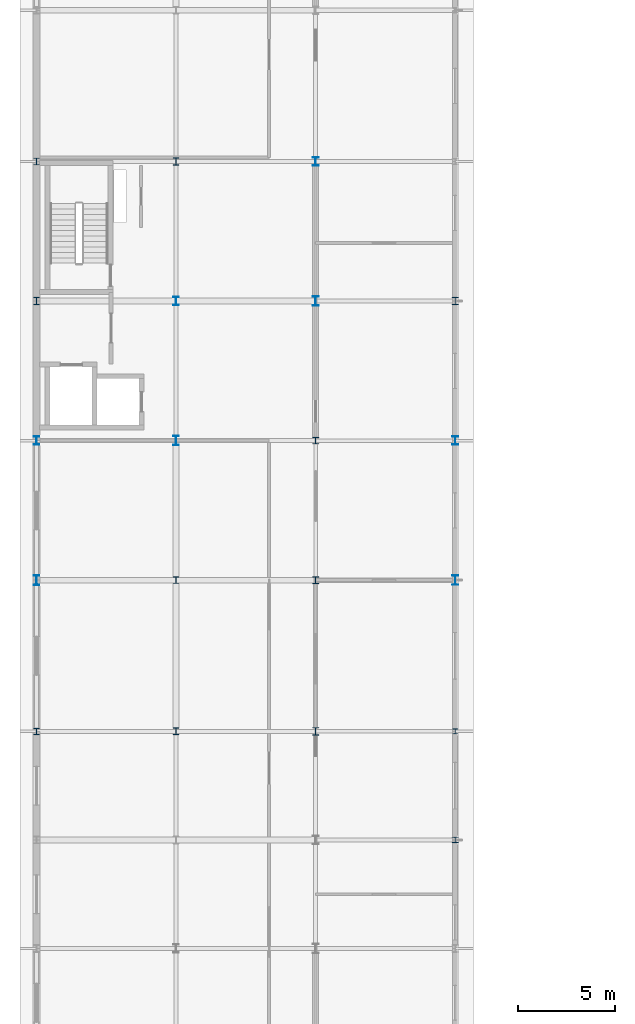
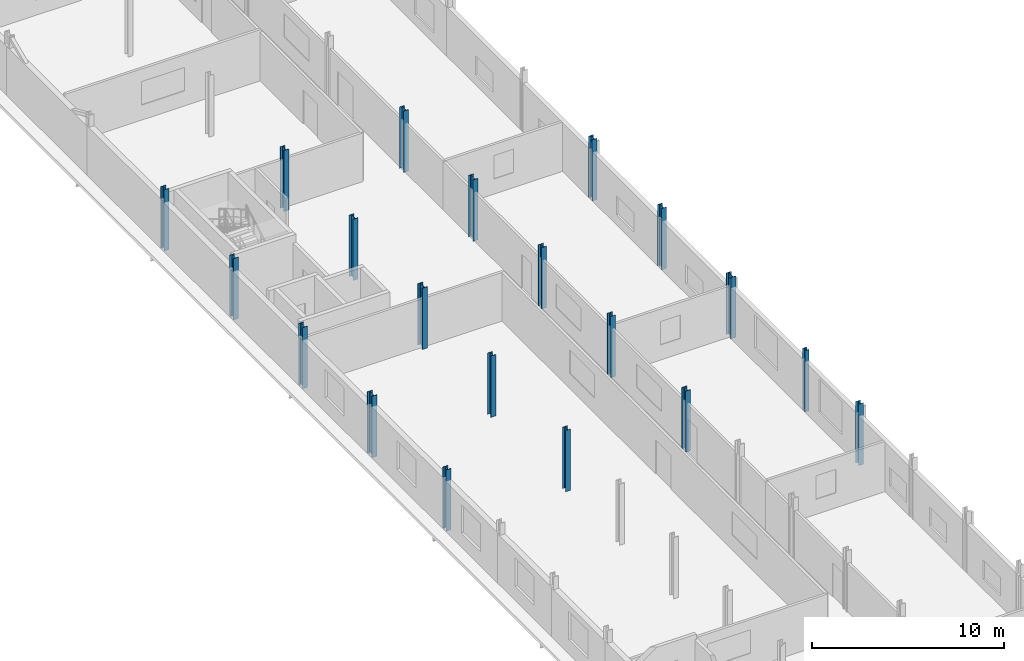
# One storey, part 2 of 30: 20 columns.
"""IFC4 building model written with IfcOpenShell, lengths in metres."""

from ifc_helpers import new_model, si_unit, direction, frame, origin, origin_2d, place, context, subcontext, project, spatial, i_section, extrude, material, material_profile, profile_set, type_object, element, save


model = new_model("IFC4")

# Units and contexts
model_context = context("Model", 3, precision=1e-05, world=origin(), true_north=direction((0.0, 1.0)))
body_context = subcontext(model_context, "Body", "Model", "MODEL_VIEW")
ifc_project = project(units=[si_unit("LENGTHUNIT", "METRE"), si_unit("AREAUNIT", "SQUARE_METRE"), si_unit("VOLUMEUNIT", "CUBIC_METRE"), si_unit("PLANEANGLEUNIT", "RADIAN"), si_unit("MASSUNIT", "GRAM", prefix="KILO")], contexts=[model_context])

# Site, building, storey
site_placement = place(None, origin())
site = spatial("IfcSite", under=ifc_project, at=site_placement, CompositionType="ELEMENT")
building_placement = place(site_placement, origin())
building = spatial("IfcBuilding", under=site, at=building_placement, Name="Vinh Khe Railworks Police Headquarters", CompositionType="ELEMENT")
storey_placement = place(building_placement, frame((0.0, 0.0, 21.0)))
storey = spatial("IfcBuildingStorey", under=building, at=storey_placement, Name="L05", CompositionType="ELEMENT", Elevation=21.0)

# Columns
ifc_material = material(Name="Steel S355JR", Category="steel")
ifc_material_profile_1 = material_profile(ifc_material, i_section(OverallWidth=0.300048828125, OverallDepth=0.389892578125, WebThickness=0.010986328125, FlangeThickness=0.01904296875, FilletRadius=0.027099609375, at=origin_2d()), Name="HEA 400")
ifc_profile_set_1 = profile_set([ifc_material_profile_1], Name="Steel S355JR")
column_type_1 = type_object("IfcColumnType", Name="Steel Column HEA 400", PredefinedType="COLUMN", material=ifc_profile_set_1)
column_1_placement = place(storey_placement, frame((22.199951171875, 81.0, 0.0), z_axis=(0.0, 0.0, 1.0), x_axis=(1.0, 0.0, 0.0)))
element("IfcColumn", 1, at=column_1_placement, inside=storey, type_object=column_type_1, Name="Column COL-L05-SC-15-0604", PredefinedType="COLUMN", context=body_context, shape_type="SweptSolid", body=[
    extrude(i_section(OverallWidth=0.300048828125, OverallDepth=0.389892578125, WebThickness=0.010986328125, FlangeThickness=0.01904296875, FilletRadius=0.027099609375, at=origin_2d()), origin(), (0.0, 0.0, 1.0), 3.89990234375),
])
ifc_material_profile_2 = material_profile(ifc_material, i_section(OverallWidth=0.300048828125, OverallDepth=0.43994140625, WebThickness=0.011474609375, FlangeThickness=0.02099609375, FilletRadius=0.027099609375, at=origin_2d()), Name="HEA 450")
ifc_profile_set_2 = profile_set([ifc_material_profile_2], Name="Steel S355JR")
column_type_2 = type_object("IfcColumnType", Name="Steel Column HEA 450", PredefinedType="COLUMN", material=ifc_profile_set_2)
column_2_placement = place(storey_placement, frame((22.199951171875, 73.800048828125, 0.0), z_axis=(0.0, 0.0, 1.0), x_axis=(1.0, 0.0, 0.0)))
element("IfcColumn", 2, at=column_2_placement, inside=storey, type_object=column_type_2, Name="Column COL-L05-SC-14-0595", PredefinedType="COLUMN", context=body_context, shape_type="SweptSolid", body=[
    extrude(i_section(OverallWidth=0.300048828125, OverallDepth=0.43994140625, WebThickness=0.011474609375, FlangeThickness=0.02099609375, FilletRadius=0.027099609375, at=origin_2d()), origin(), (0.0, 0.0, 1.0), 3.89990234375),
])
ifc_material_profile_3 = material_profile(ifc_material, i_section(OverallWidth=0.300048828125, OverallDepth=0.489990234375, WebThickness=0.011962890625, FlangeThickness=0.02294921875, FilletRadius=0.027099609375, at=origin_2d()), Name="HEA 500")
ifc_profile_set_3 = profile_set([ifc_material_profile_3], Name="Steel S355JR")
column_type_3 = type_object("IfcColumnType", Name="Steel Column HEA 500", PredefinedType="COLUMN", material=ifc_profile_set_3)
column_3_placement = place(storey_placement, frame((22.199951171875, 66.60009765625, 0.0), z_axis=(0.0, 0.0, 1.0), x_axis=(1.0, 0.0, 0.0)))
element("IfcColumn", 3, at=column_3_placement, inside=storey, type_object=column_type_3, Name="Column COL-L05-SC-13-0586", PredefinedType="COLUMN", context=body_context, shape_type="SweptSolid", body=[
    extrude(i_section(OverallWidth=0.300048828125, OverallDepth=0.489990234375, WebThickness=0.011962890625, FlangeThickness=0.02294921875, FilletRadius=0.027099609375, at=origin_2d()), origin(), (0.0, 0.0, 1.0), 3.89990234375),
])
ifc_material_profile_4 = material_profile(ifc_material, i_section(OverallWidth=0.260009765625, OverallDepth=0.260009765625, WebThickness=0.010009765625, FlangeThickness=0.017578125, FilletRadius=0.02392578125, at=origin_2d()), Name="HEB 260")
ifc_profile_set_4 = profile_set([ifc_material_profile_4], Name="Steel S355JR")
column_type_4 = type_object("IfcColumnType", Name="Steel Column HEB 260", PredefinedType="COLUMN", material=ifc_profile_set_4)
column_4_placement = place(storey_placement, frame((22.199951171875, 58.800048828125, 0.0), z_axis=(0.0, 0.0, 1.0), x_axis=(1.0, 0.0, 0.0)))
element("IfcColumn", 4, at=column_4_placement, inside=storey, type_object=column_type_4, Name="Column COL-L05-SC-12-0577", PredefinedType="COLUMN", context=body_context, shape_type="SweptSolid", body=[
    extrude(i_section(OverallWidth=0.260009765625, OverallDepth=0.260009765625, WebThickness=0.010009765625, FlangeThickness=0.017578125, FilletRadius=0.02392578125, at=origin_2d()), origin(), (0.0, 0.0, 1.0), 3.89990234375),
])
ifc_material_profile_5 = material_profile(ifc_material, i_section(OverallWidth=0.300048828125, OverallDepth=0.300048828125, WebThickness=0.010986328125, FlangeThickness=0.01904296875, FilletRadius=0.027099609375, at=origin_2d()), Name="HEB 300")
ifc_profile_set_5 = profile_set([ifc_material_profile_5], Name="Steel S355JR")
column_type_5 = type_object("IfcColumnType", Name="Steel Column HEB 300", PredefinedType="COLUMN", material=ifc_profile_set_5)
column_5_placement = place(storey_placement, frame((22.199951171875, 53.199951171875, 0.0), z_axis=(0.0, 0.0, 1.0), x_axis=(1.0, 0.0, 0.0)))
element("IfcColumn", 5, at=column_5_placement, inside=storey, type_object=column_type_5, Name="Column COL-L05-SC-11-0568", PredefinedType="COLUMN", context=body_context, shape_type="SweptSolid", body=[
    extrude(i_section(OverallWidth=0.300048828125, OverallDepth=0.300048828125, WebThickness=0.010986328125, FlangeThickness=0.01904296875, FilletRadius=0.027099609375, at=origin_2d()), origin(), (0.0, 0.0, 1.0), 3.89990234375),
])
ifc_material_profile_6 = material_profile(ifc_material, i_section(OverallWidth=0.300048828125, OverallDepth=0.340087890625, WebThickness=0.011962890625, FlangeThickness=0.021484375, FilletRadius=0.027099609375, at=origin_2d()), Name="HEB 340")
ifc_profile_set_6 = profile_set([ifc_material_profile_6], Name="Steel S355JR")
column_type_6 = type_object("IfcColumnType", Name="Steel Column HEB 340", PredefinedType="COLUMN", material=ifc_profile_set_6)
for number, where, z_axis, x_axis, name in (
    (6, (0.60009765625, 58.800048828125, 0.0), (0.0, 0.0, 1.0), (1.0, 0.0, 0.0), "Column COL-L05-SC-10-0083"),
    (7, (7.800048828125, 66.60009765625, 0.0), (0.0, 0.0, 1.0), (1.0, 0.0, 0.0), "Column COL-L05-SC-10-0260"),
    (8, (15.0, 73.800048828125, 0.0), (0.0, 0.0, 1.0), (1.0, 0.0, 0.0), "Column COL-L05-SC-10-0437"),
):
    element("IfcColumn", number, at=place(storey_placement, frame(where, z_axis=z_axis, x_axis=x_axis)), inside=storey, type_object=column_type_6, Name=name, PredefinedType="COLUMN", context=body_context, shape_type="SweptSolid", body=[
        extrude(i_section(OverallWidth=0.300048828125, OverallDepth=0.340087890625, WebThickness=0.011962890625, FlangeThickness=0.021484375, FilletRadius=0.027099609375, at=origin_2d()), origin(), (0.0, 0.0, 1.0), 3.89990234375),
    ])
ifc_material_profile_7 = material_profile(ifc_material, i_section(OverallWidth=0.300048828125, OverallDepth=0.360107421875, WebThickness=0.012451171875, FlangeThickness=0.0224609375, FilletRadius=0.027099609375, at=origin_2d()), Name="HEB 360")
ifc_profile_set_7 = profile_set([ifc_material_profile_7], Name="Steel S355JR")
column_type_7 = type_object("IfcColumnType", Name="Steel Column HEB 360", PredefinedType="COLUMN", material=ifc_profile_set_7)
for number, where, z_axis, x_axis, name in (
    (9, (0.60009765625, 88.199951171875, 0.0), (0.0, 0.0, 1.0), (1.0, 0.0, 0.0), "Column COL-L05-SC-09-0123"),
    (10, (7.800048828125, 58.800048828125, 0.0), (0.0, 0.0, 1.0), (1.0, 0.0, 0.0), "Column COL-L05-SC-09-0250"),
    (11, (15.0, 66.60009765625, 0.0), (0.0, 0.0, 1.0), (1.0, 0.0, 0.0), "Column COL-L05-SC-09-0427"),
):
    element("IfcColumn", number, at=place(storey_placement, frame(where, z_axis=z_axis, x_axis=x_axis)), inside=storey, type_object=column_type_7, Name=name, PredefinedType="COLUMN", context=body_context, shape_type="SweptSolid", body=[
        extrude(i_section(OverallWidth=0.300048828125, OverallDepth=0.360107421875, WebThickness=0.012451171875, FlangeThickness=0.0224609375, FilletRadius=0.027099609375, at=origin_2d()), origin(), (0.0, 0.0, 1.0), 3.89990234375),
    ])
ifc_material_profile_8 = material_profile(ifc_material, i_section(OverallWidth=0.300048828125, OverallDepth=0.39990234375, WebThickness=0.013427734375, FlangeThickness=0.02392578125, FilletRadius=0.027099609375, at=origin_2d()), Name="HEB 400")
ifc_profile_set_8 = profile_set([ifc_material_profile_8], Name="Steel S355JR")
column_type_8 = type_object("IfcColumnType", Name="Steel Column HEB 400", PredefinedType="COLUMN", material=ifc_profile_set_8)
for number, where, z_axis, x_axis, name in (
    (12, (0.60009765625, 81.0, 0.0), (0.0, 0.0, 1.0), (1.0, 0.0, 0.0), "Column COL-L05-SC-08-0113"),
    (13, (7.800048828125, 88.199951171875, 0.0), (0.0, 0.0, 1.0), (1.0, 0.0, 0.0), "Column COL-L05-SC-08-0290"),
    (14, (15.0, 58.800048828125, 0.0), (0.0, 0.0, 1.0), (1.0, 0.0, 0.0), "Column COL-L05-SC-08-0417"),
):
    element("IfcColumn", number, at=place(storey_placement, frame(where, z_axis=z_axis, x_axis=x_axis)), inside=storey, type_object=column_type_8, Name=name, PredefinedType="COLUMN", context=body_context, shape_type="SweptSolid", body=[
        extrude(i_section(OverallWidth=0.300048828125, OverallDepth=0.39990234375, WebThickness=0.013427734375, FlangeThickness=0.02392578125, FilletRadius=0.027099609375, at=origin_2d()), origin(), (0.0, 0.0, 1.0), 3.89990234375),
    ])
ifc_material_profile_9 = material_profile(ifc_material, i_section(OverallWidth=0.300048828125, OverallDepth=0.449951171875, WebThickness=0.013916015625, FlangeThickness=0.02587890625, FilletRadius=0.027099609375, at=origin_2d()), Name="HEB 450")
ifc_profile_set_9 = profile_set([ifc_material_profile_9], Name="Steel S355JR")
column_type_9 = type_object("IfcColumnType", Name="Steel Column HEB 450", PredefinedType="COLUMN", material=ifc_profile_set_9)
for number, where, z_axis, x_axis, name in (
    (15, (0.60009765625, 73.800048828125, 0.0), (0.0, 0.0, 1.0), (1.0, 0.0, 0.0), "Column COL-L05-SC-07-0103"),
    (16, (7.800048828125, 81.0, 0.0), (0.0, 0.0, 1.0), (1.0, 0.0, 0.0), "Column COL-L05-SC-07-0280"),
    (17, (15.0, 88.199951171875, 0.0), (0.0, 0.0, 1.0), (1.0, 0.0, 0.0), "Column COL-L05-SC-07-0457"),
):
    element("IfcColumn", number, at=place(storey_placement, frame(where, z_axis=z_axis, x_axis=x_axis)), inside=storey, type_object=column_type_9, Name=name, PredefinedType="COLUMN", context=body_context, shape_type="SweptSolid", body=[
        extrude(i_section(OverallWidth=0.300048828125, OverallDepth=0.449951171875, WebThickness=0.013916015625, FlangeThickness=0.02587890625, FilletRadius=0.027099609375, at=origin_2d()), origin(), (0.0, 0.0, 1.0), 3.89990234375),
    ])
ifc_material_profile_10 = material_profile(ifc_material, i_section(OverallWidth=0.300048828125, OverallDepth=0.5, WebThickness=0.014404296875, FlangeThickness=0.028076171875, FilletRadius=0.027099609375, at=origin_2d()), Name="HEB 500")
ifc_profile_set_10 = profile_set([ifc_material_profile_10], Name="Steel S355JR")
column_type_10 = type_object("IfcColumnType", Name="Steel Column HEB 500", PredefinedType="COLUMN", material=ifc_profile_set_10)
for number, where, z_axis, x_axis, name in (
    (18, (0.60009765625, 66.60009765625, 0.0), (0.0, 0.0, 1.0), (1.0, 0.0, 0.0), "Column COL-L05-SC-06-0093"),
    (19, (7.800048828125, 73.800048828125, 0.0), (0.0, 0.0, 1.0), (1.0, 0.0, 0.0), "Column COL-L05-SC-06-0270"),
    (20, (15.0, 81.0, 0.0), (0.0, 0.0, 1.0), (1.0, 0.0, 0.0), "Column COL-L05-SC-06-0447"),
):
    element("IfcColumn", number, at=place(storey_placement, frame(where, z_axis=z_axis, x_axis=x_axis)), inside=storey, type_object=column_type_10, Name=name, PredefinedType="COLUMN", context=body_context, shape_type="SweptSolid", body=[
        extrude(i_section(OverallWidth=0.300048828125, OverallDepth=0.5, WebThickness=0.014404296875, FlangeThickness=0.028076171875, FilletRadius=0.027099609375, at=origin_2d()), origin(), (0.0, 0.0, 1.0), 3.89990234375),
    ])

save(model, "model.ifc")
